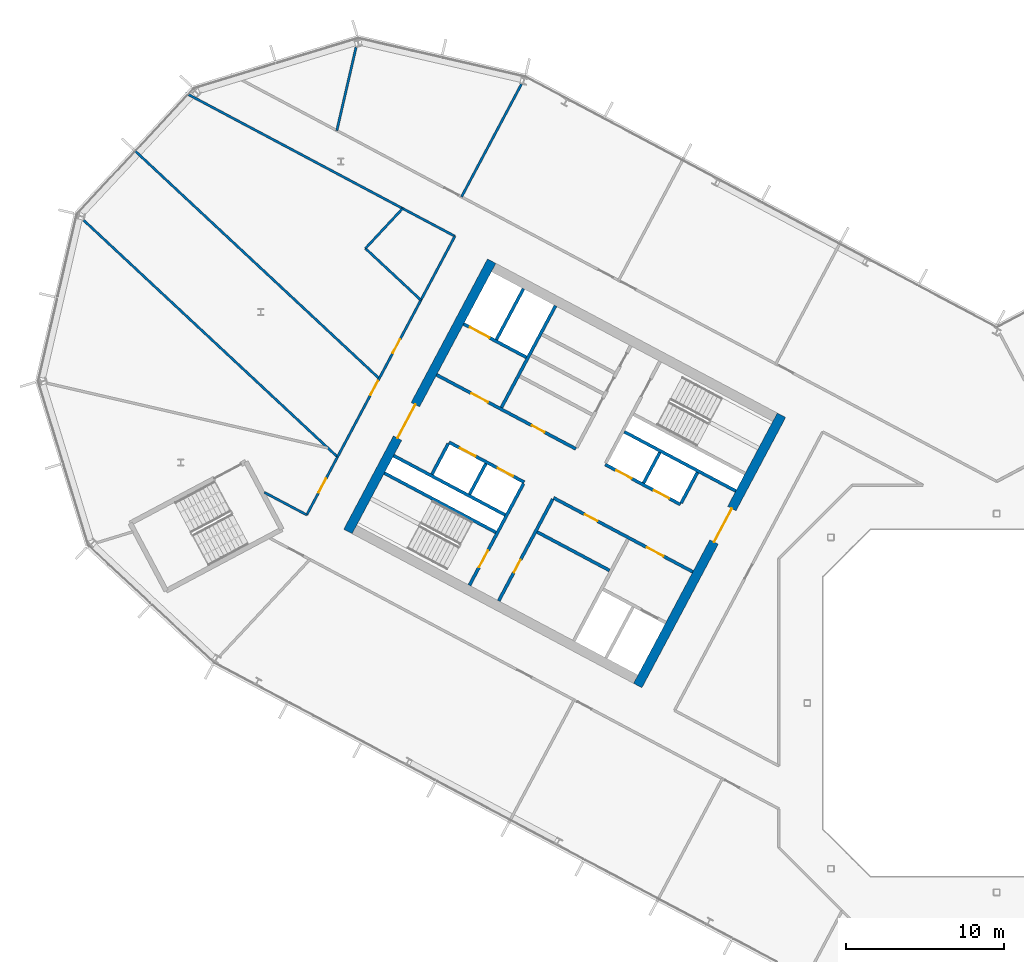
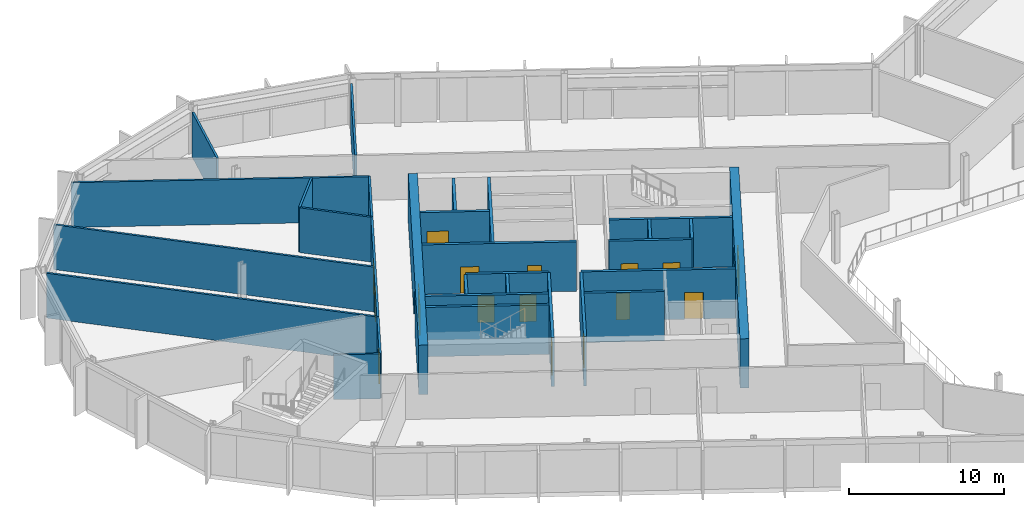
# One storey, part 13 of 26: 29 walls, 16 doors, 16 openings.
"""IFC4 building model written with IfcOpenShell, lengths in metres."""

from ifc_helpers import new_model, si_unit, direction, frame, frame_2d, origin, place, context, subcontext, project, spatial, rectangle, extrude, material, layer, layer_set, type_object, element, fill, save


model = new_model("IFC4")

# Units and contexts
model_context = context("Model", 3, precision=1e-05, world=origin(), true_north=direction((0.0, 1.0)))
body_context = subcontext(model_context, "Body", "Model", "MODEL_VIEW")
ifc_project = project(units=[si_unit("LENGTHUNIT", "METRE"), si_unit("AREAUNIT", "SQUARE_METRE"), si_unit("VOLUMEUNIT", "CUBIC_METRE"), si_unit("PLANEANGLEUNIT", "RADIAN"), si_unit("MASSUNIT", "GRAM", prefix="KILO")], contexts=[model_context])

# Site, building, storey
site_placement = place(None, origin())
site = spatial("IfcSite", under=ifc_project, at=site_placement, CompositionType="ELEMENT")
building_placement = place(site_placement, origin())
building = spatial("IfcBuilding", under=site, at=building_placement, Name="Cormorant Relay Tower", CompositionType="ELEMENT")
storey_placement = place(building_placement, frame((0.0, 0.0, 205.199951171875)))
storey = spatial("IfcBuildingStorey", under=building, at=storey_placement, Name="L44", CompositionType="ELEMENT", Elevation=205.199951171875)

# Walls
ifc_material_1 = material(Name="Concrete 40 MPa", Category="concrete")
ifc_layer_1 = layer(ifc_material_1, 0.199951171875)
ifc_layer_set_1 = layer_set([ifc_layer_1], Name="Core internal wall 200")
wall_type_1 = type_object("IfcWallType", Name="Core internal wall 200", PredefinedType="SOLIDWALL", material=ifc_layer_set_1)
wall_1_placement = place(storey_placement, frame((-21.34375, 15.87890625, 0.0), z_axis=(0.0, 0.0, 1.0), x_axis=(-0.4694473164, -0.882960484464, 0.0)))
element("IfcWall", 1, at=wall_1_placement, inside=storey, type_object=wall_type_1, Name="L44 core A shaft and room wall", PredefinedType="SOLIDWALL", context=body_context, shape_type="SweptSolid", body=[
    extrude(rectangle(XDim=2.199951171875, YDim=0.199951171875, at=frame_2d((1.10009765625, 0.0))), origin(), (0.0, 0.0, 1.0), 3.900146484375),
])
wall_2_placement = place(storey_placement, frame((-32.3662109375, 15.1708984375, 0.0), z_axis=(0.0, 0.0, 1.0), x_axis=(-0.469487830541, -0.882938942948, 0.0)))
element("IfcWall", 2, at=wall_2_placement, inside=storey, type_object=wall_type_1, Name="L44 core A shaft and room wall", PredefinedType="SOLIDWALL", context=body_context, shape_type="SweptSolid", body=[
    extrude(rectangle(XDim=2.2001953125, YDim=0.199951171875, at=frame_2d((1.10009765625, 0.0))), origin(), (0.0, 0.0, 1.0), 3.900146484375),
])
ifc_material_2 = material(Name="Concrete 50 MPa", Category="concrete")
ifc_layer_2 = layer(ifc_material_2, 0.199951171875)
ifc_layer_set_2 = layer_set([ifc_layer_2], Name="Core shaft wall 200")
wall_type_2 = type_object("IfcWallType", Name="Core shaft wall 200", PredefinedType="SHEAR", material=ifc_layer_set_2)
wall_3_placement = place(storey_placement, frame((-18.959716796875, 14.611328125, 0.0), z_axis=(0.0, 0.0, 1.0), x_axis=(-0.4694473164, -0.882960484464, 0.0)))
element("IfcWall", 3, at=wall_3_placement, inside=storey, type_object=wall_type_2, Name="L44 core A shaft wall", PredefinedType="SHEAR", context=body_context, shape_type="SweptSolid", body=[
    extrude(rectangle(XDim=2.199951171875, YDim=0.199951171875, at=frame_2d((1.10009765625, 0.0))), origin(), (0.0, 0.0, 1.0), 3.900146484375),
])

# Wall, opening, door
wall_4_placement = place(storey_placement, frame((-28.128173828125, 12.91748046875, 0.0), z_axis=(0.0, 0.0, 1.0), x_axis=(-0.469454336211, -0.882956752176, 0.0)))
wall_4 = element("IfcWall", 4, at=wall_4_placement, inside=storey, type_object=wall_type_2, Name="L44 core A shaft wall", PredefinedType="SHEAR", context=body_context, shape_type="SweptSolid", body=[
    extrude(rectangle(XDim=7.300048828125, YDim=0.199951171875, at=frame_2d((3.64990234375, 0.0))), origin(), (0.0, 0.0, 1.0), 3.900146484375),
])
opening_1_placement = place(wall_4_placement, frame((4.35009765625, 0.0, 0.0)))
opening_1 = element("IfcOpeningElement", 5, at=opening_1_placement, cuts=wall_4, Name="Opening CDD-256", PredefinedType="OPENING", context=body_context, shape_type="SweptSolid", body=[
    extrude(rectangle(XDim=0.89990234375, YDim=2.10009765625, at=frame_2d((0.449951171875, 1.050048828125))), frame((0.0, 0.10986328125, 0.0), z_axis=(0.0, -1.0, 0.0), x_axis=(1.0, 0.0, 0.0)), (0.0, 0.0, 1.0), 0.219970703125),
])
ifc_material_3 = material(Name="Steel fire door", Category="steel")
door_type_1 = type_object("IfcDoorType", Name="Core room door 900x2100", OperationType="SINGLE_SWING_LEFT", PredefinedType="DOOR", material=ifc_material_3)
door_1_placement = place(opening_1_placement, origin())
door_1 = element("IfcDoor", 6, at=door_1_placement, inside=storey, type_object=door_type_1, Name="Core room door 900x2100", OperationType="SINGLE_SWING_LEFT", OverallHeight=2.10009765625, OverallWidth=0.89990234375, PredefinedType="DOOR", context=body_context, shape_type="SweptSolid", body=[
    extrude(rectangle(XDim=0.89990234375, YDim=2.10009765625, at=frame_2d((0.449951171875, 1.050048828125))), frame((0.0, 0.02490234375, 0.0), z_axis=(0.0, -1.0, 0.0), x_axis=(1.0, 0.0, 0.0)), (0.0, 0.0, 1.0), 0.050048828125),
])
fill(opening_1, door_1)

wall_5_placement = place(storey_placement, frame((-29.982421875, 13.9033203125, 0.0), z_axis=(0.0, 0.0, 1.0), x_axis=(-0.469454336211, -0.882956752176, 0.0)))
wall_5 = element("IfcWall", 7, at=wall_5_placement, inside=storey, type_object=wall_type_2, Name="L44 core A shaft wall", PredefinedType="SHEAR", context=body_context, shape_type="SweptSolid", body=[
    extrude(rectangle(XDim=7.300048828125, YDim=0.199951171875, at=frame_2d((3.64990234375, 0.0))), origin(), (0.0, 0.0, 1.0), 3.900146484375),
])
opening_2_placement = place(wall_5_placement, frame((4.800048828125, 0.0, 0.0)))
opening_2 = element("IfcOpeningElement", 8, at=opening_2_placement, cuts=wall_5, Name="Opening CDB-039", PredefinedType="OPENING", context=body_context, shape_type="SweptSolid", body=[
    extrude(rectangle(XDim=1.199951171875, YDim=2.10009765625, at=frame_2d((0.60009765625, 1.050048828125))), frame((0.0, 0.10986328125, 0.0), z_axis=(0.0, -1.0, 0.0), x_axis=(1.0, 0.0, 0.0)), (0.0, 0.0, 1.0), 0.219970703125),
])
ifc_material_4 = material(Name="Steel fire door", Category="steel")
door_type_2 = type_object("IfcDoorType", Name="Core stair door 1200x2100", OperationType="SINGLE_SWING_LEFT", PredefinedType="DOOR", material=ifc_material_4)
door_2_placement = place(opening_2_placement, frame((1.199951171875, 0.0, 0.0), z_axis=(0.0, 0.0, 1.0), x_axis=(-1.0, 0.0, 0.0)))
door_2 = element("IfcDoor", 9, at=door_2_placement, inside=storey, type_object=door_type_2, Name="Core stair door 1200x2100", OperationType="SINGLE_SWING_RIGHT", OverallHeight=2.10009765625, OverallWidth=1.199951171875, PredefinedType="DOOR", context=body_context, shape_type="SweptSolid", body=[
    extrude(rectangle(XDim=1.199951171875, YDim=2.10009765625, at=frame_2d((0.60009765625, 1.050048828125))), frame((0.0, 0.02490234375, 0.0), z_axis=(0.0, -1.0, 0.0), x_axis=(1.0, 0.0, 0.0)), (0.0, 0.0, 1.0), 0.050048828125),
])
fill(opening_2, door_2)

# Walls
wall_6_placement = place(storey_placement, frame((-27.955322265625, 25.170654296875, 0.0), z_axis=(0.0, 0.0, 1.0), x_axis=(-0.469480409012, -0.88294288918, 0.0)))
element("IfcWall", 10, at=wall_6_placement, inside=storey, type_object=wall_type_2, Name="L44 core A shaft wall", PredefinedType="SHEAR", context=body_context, shape_type="SweptSolid", body=[
    extrude(rectangle(XDim=7.300048828125, YDim=0.199951171875, at=frame_2d((3.64990234375, 0.0))), origin(), (0.0, 0.0, 1.0), 3.900146484375),
])
wall_7_placement = place(storey_placement, frame((-34.750244140625, 16.4384765625, 0.0), z_axis=(0.0, 0.0, 1.0), x_axis=(-0.469401318492, -0.882984938828, 0.0)))
element("IfcWall", 11, at=wall_7_placement, inside=storey, type_object=wall_type_2, Name="L44 core A shaft wall", PredefinedType="SHEAR", context=body_context, shape_type="SweptSolid", body=[
    extrude(rectangle(XDim=2.199951171875, YDim=0.199951171875, at=frame_2d((1.10009765625, 0.0))), origin(), (0.0, 0.0, 1.0), 3.900146484375),
])
wall_8_placement = place(storey_placement, frame((-29.986083984375, 26.250244140625, 0.0), z_axis=(0.0, 0.0, 1.0), x_axis=(-0.469494272526, -0.882935517501, 0.0)))
element("IfcWall", 12, at=wall_8_placement, inside=storey, type_object=wall_type_2, Name="L44 core A shaft wall", PredefinedType="SHEAR", context=body_context, shape_type="SweptSolid", body=[
    extrude(rectangle(XDim=3.64990234375, YDim=0.199951171875, at=frame_2d((1.824951171875, 0.0))), origin(), (0.0, 0.0, 1.0), 3.900146484375),
])

# Wall, opening, door
wall_9_placement = place(storey_placement, frame((-29.80419921875, 21.906494140625, 0.0), z_axis=(0.0, 0.0, 1.0), x_axis=(-0.882960433586, 0.469447412093, 0.0)))
wall_9 = element("IfcWall", 13, at=wall_9_placement, inside=storey, type_object=wall_type_2, Name="L44 core A shaft wall", PredefinedType="SHEAR", context=body_context, shape_type="SweptSolid", body=[
    extrude(rectangle(XDim=4.5, YDim=0.199951171875, at=frame_2d((2.25, 0.0))), origin(), (0.0, 0.0, 1.0), 3.900146484375),
])
opening_3_placement = place(wall_9_placement, frame((2.64990234375, 0.0, 0.0)))
opening_3 = element("IfcOpeningElement", 14, at=opening_3_placement, cuts=wall_9, Name="Opening LD3-015", PredefinedType="OPENING", context=body_context, shape_type="SweptSolid", body=[
    extrude(rectangle(XDim=1.39990234375, YDim=2.39990234375, at=frame_2d((0.699951171875, 1.199951171875))), frame((0.0, 0.10986328125, 0.0), z_axis=(0.0, -1.0, 0.0), x_axis=(1.0, 0.0, 0.0)), (0.0, 0.0, 1.0), 0.219970703125),
])
ifc_material_5 = material(Name="Stainless steel 316", Category="steel")
door_type_3 = type_object("IfcDoorType", Name="Lift landing door 1400x2400", OperationType="DOUBLE_DOOR_SLIDING", PredefinedType="DOOR", material=ifc_material_5)
door_3_placement = place(opening_3_placement, origin())
door_3 = element("IfcDoor", 15, at=door_3_placement, inside=storey, type_object=door_type_3, Name="SV1 landing door", OperationType="DOUBLE_DOOR_SLIDING", OverallHeight=2.39990234375, OverallWidth=1.39990234375, PredefinedType="DOOR", context=body_context, shape_type="SweptSolid", body=[
    extrude(rectangle(XDim=1.39990234375, YDim=2.39990234375, at=frame_2d((0.699951171875, 1.199951171875))), frame((0.0, 0.02490234375, 0.0), z_axis=(0.0, -1.0, 0.0), x_axis=(1.0, 0.0, 0.0)), (0.0, 0.0, 1.0), 0.050048828125),
])
fill(opening_3, door_3)

# Wall
wall_10_placement = place(storey_placement, frame((-16.52880859375, 13.43212890625, 0.0), z_axis=(0.0, 0.0, 1.0), x_axis=(-0.88295287151, 0.469461634952, 0.0)))
element("IfcWall", 16, at=wall_10_placement, inside=storey, type_object=wall_type_2, Name="L44 core A shaft wall", PredefinedType="SHEAR", context=body_context, shape_type="SweptSolid", body=[
    extrude(rectangle(XDim=7.999755859375, YDim=0.199951171875, at=frame_2d((4.0, 0.0))), origin(), (0.0, 0.0, 1.0), 3.900146484375),
])

# Wall, openings, doors
wall_11_placement = place(storey_placement, frame((-20.03955078125, 12.58056640625, 0.0), z_axis=(0.0, 0.0, 1.0), x_axis=(-0.882942972946, 0.469480251476, 0.0)))
wall_11 = element("IfcWall", 17, at=wall_11_placement, inside=storey, type_object=wall_type_2, Name="L44 core A shaft wall", PredefinedType="SHEAR", context=body_context, shape_type="SweptSolid", body=[
    extrude(rectangle(XDim=5.39990234375, YDim=0.199951171875, at=frame_2d((2.699951171875, 0.0))), origin(), (0.0, 0.0, 1.0), 3.900146484375),
])
opening_4_placement = place(wall_11_placement, frame((0.800048828125, 0.0, 0.0)))
opening_4 = element("IfcOpeningElement", 18, at=opening_4_placement, cuts=wall_11, Name="Opening LD1-061", PredefinedType="OPENING", context=body_context, shape_type="SweptSolid", body=[
    extrude(rectangle(XDim=1.10009765625, YDim=2.10009765625, at=frame_2d((0.550048828125, 1.050048828125))), frame((0.0, 0.10986328125, 0.0), z_axis=(0.0, -1.0, 0.0), x_axis=(1.0, 0.0, 0.0)), (0.0, 0.0, 1.0), 0.219970703125),
])
opening_5_placement = place(wall_11_placement, frame((3.5, 0.0, 0.0)))
opening_5 = element("IfcOpeningElement", 19, at=opening_5_placement, cuts=wall_11, Name="Opening LD1-062", PredefinedType="OPENING", context=body_context, shape_type="SweptSolid", body=[
    extrude(rectangle(XDim=1.10009765625, YDim=2.10009765625, at=frame_2d((0.550048828125, 1.050048828125))), frame((0.0, 0.10986328125, 0.0), z_axis=(0.0, -1.0, 0.0), x_axis=(1.0, 0.0, 0.0)), (0.0, 0.0, 1.0), 0.219970703125),
])
ifc_material_6 = material(Name="Stainless steel 316", Category="steel")
door_type_4 = type_object("IfcDoorType", Name="Lift landing door 1100x2100", OperationType="DOUBLE_DOOR_SLIDING", PredefinedType="DOOR", material=ifc_material_6)
door_4_placement = place(opening_4_placement, origin())
door_4 = element("IfcDoor", 20, at=door_4_placement, inside=storey, type_object=door_type_4, Name="MR3 landing door", OperationType="DOUBLE_DOOR_SLIDING", OverallHeight=2.10009765625, OverallWidth=1.10009765625, PredefinedType="DOOR", context=body_context, shape_type="SweptSolid", body=[
    extrude(rectangle(XDim=1.10009765625, YDim=2.10009765625, at=frame_2d((0.550048828125, 1.050048828125))), frame((0.0, 0.02490234375, 0.0), z_axis=(0.0, -1.0, 0.0), x_axis=(1.0, 0.0, 0.0)), (0.0, 0.0, 1.0), 0.050048828125),
])
fill(opening_4, door_4)
door_5_placement = place(opening_5_placement, origin())
door_5 = element("IfcDoor", 21, at=door_5_placement, inside=storey, type_object=door_type_4, Name="MR4 landing door", OperationType="DOUBLE_DOOR_SLIDING", OverallHeight=2.10009765625, OverallWidth=1.10009765625, PredefinedType="DOOR", context=body_context, shape_type="SweptSolid", body=[
    extrude(rectangle(XDim=1.10009765625, YDim=2.10009765625, at=frame_2d((0.550048828125, 1.050048828125))), frame((0.0, 0.02490234375, 0.0), z_axis=(0.0, -1.0, 0.0), x_axis=(1.0, 0.0, 0.0)), (0.0, 0.0, 1.0), 0.050048828125),
])
fill(opening_5, door_5)

wall_12_placement = place(storey_placement, frame((-26.66162109375, 16.1015625, 0.0), z_axis=(0.0, 0.0, 1.0), x_axis=(-0.882940221191, 0.469485426614, 0.0)))
wall_12 = element("IfcWall", 22, at=wall_12_placement, inside=storey, type_object=wall_type_2, Name="L44 core A shaft wall", PredefinedType="SHEAR", context=body_context, shape_type="SweptSolid", body=[
    extrude(rectangle(XDim=10.0, YDim=0.199951171875, at=frame_2d((5.0, 0.0))), origin(), (0.0, 0.0, 1.0), 3.900146484375),
])
opening_6_placement = place(wall_12_placement, frame((6.300048828125, 0.0, 0.0)))
opening_6 = element("IfcOpeningElement", 23, at=opening_6_placement, cuts=wall_12, Name="Opening CDC-034", PredefinedType="OPENING", context=body_context, shape_type="SweptSolid", body=[
    extrude(rectangle(XDim=1.199951171875, YDim=2.10009765625, at=frame_2d((0.60009765625, 1.050048828125))), frame((0.0, 0.10986328125, 0.0), z_axis=(0.0, -1.0, 0.0), x_axis=(1.0, 0.0, 0.0)), (0.0, 0.0, 1.0), 0.219970703125),
])
opening_7_placement = place(wall_12_placement, frame((2.25, 0.0, 0.0)))
opening_7 = element("IfcOpeningElement", 24, at=opening_7_placement, cuts=wall_12, Name="Opening CDD-255", PredefinedType="OPENING", context=body_context, shape_type="SweptSolid", body=[
    extrude(rectangle(XDim=0.89990234375, YDim=2.10009765625, at=frame_2d((0.449951171875, 1.050048828125))), frame((0.0, 0.10986328125, 0.0), z_axis=(0.0, -1.0, 0.0), x_axis=(1.0, 0.0, 0.0)), (0.0, 0.0, 1.0), 0.219970703125),
])
ifc_material_7 = material(Name="Steel fire door", Category="steel")
door_type_5 = type_object("IfcDoorType", Name="Core lobby door 1200x2100", OperationType="SINGLE_SWING_LEFT", PredefinedType="DOOR", material=ifc_material_7)
door_6_placement = place(opening_6_placement, origin())
door_6 = element("IfcDoor", 25, at=door_6_placement, inside=storey, type_object=door_type_5, Name="Core lobby door 1200x2100", OperationType="SINGLE_SWING_LEFT", OverallHeight=2.10009765625, OverallWidth=1.199951171875, PredefinedType="DOOR", context=body_context, shape_type="SweptSolid", body=[
    extrude(rectangle(XDim=1.199951171875, YDim=2.10009765625, at=frame_2d((0.60009765625, 1.050048828125))), frame((0.0, 0.02490234375, 0.0), z_axis=(0.0, -1.0, 0.0), x_axis=(1.0, 0.0, 0.0)), (0.0, 0.0, 1.0), 0.050048828125),
])
fill(opening_6, door_6)
door_7_placement = place(opening_7_placement, origin())
door_7 = element("IfcDoor", 26, at=door_7_placement, inside=storey, type_object=door_type_1, Name="Core room door 900x2100", OperationType="SINGLE_SWING_LEFT", OverallHeight=2.10009765625, OverallWidth=0.89990234375, PredefinedType="DOOR", context=body_context, shape_type="SweptSolid", body=[
    extrude(rectangle(XDim=0.89990234375, YDim=2.10009765625, at=frame_2d((0.449951171875, 1.050048828125))), frame((0.0, 0.02490234375, 0.0), z_axis=(0.0, -1.0, 0.0), x_axis=(1.0, 0.0, 0.0)), (0.0, 0.0, 1.0), 0.050048828125),
])
fill(opening_7, door_7)

wall_13_placement = place(storey_placement, frame((-19.251708984375, 8.31103515625, 0.0), z_axis=(0.0, 0.0, 1.0), x_axis=(-0.882955722218, 0.469456273365, 0.0)))
wall_13 = element("IfcWall", 27, at=wall_13_placement, inside=storey, type_object=wall_type_2, Name="L44 core A shaft wall", PredefinedType="SHEAR", context=body_context, shape_type="SweptSolid", body=[
    extrude(rectangle(XDim=10.0, YDim=0.199951171875, at=frame_2d((5.0, 0.0))), origin(), (0.0, 0.0, 1.0), 3.900146484375),
])
opening_8_placement = place(wall_13_placement, frame((2.10009765625, 0.0, 0.0)))
opening_8 = element("IfcOpeningElement", 28, at=opening_8_placement, cuts=wall_13, Name="Opening CDC-033", PredefinedType="OPENING", context=body_context, shape_type="SweptSolid", body=[
    extrude(rectangle(XDim=1.199951171875, YDim=2.10009765625, at=frame_2d((0.60009765625, 1.050048828125))), frame((0.0, 0.10986328125, 0.0), z_axis=(0.0, -1.0, 0.0), x_axis=(1.0, 0.0, 0.0)), (0.0, 0.0, 1.0), 0.219970703125),
])
opening_9_placement = place(wall_13_placement, frame((6.85009765625, 0.0, 0.0)))
opening_9 = element("IfcOpeningElement", 29, at=opening_9_placement, cuts=wall_13, Name="Opening CDD-254", PredefinedType="OPENING", context=body_context, shape_type="SweptSolid", body=[
    extrude(rectangle(XDim=0.89990234375, YDim=2.10009765625, at=frame_2d((0.449951171875, 1.050048828125))), frame((0.0, 0.10986328125, 0.0), z_axis=(0.0, -1.0, 0.0), x_axis=(1.0, 0.0, 0.0)), (0.0, 0.0, 1.0), 0.219970703125),
])
door_8_placement = place(opening_8_placement, origin())
door_8 = element("IfcDoor", 30, at=door_8_placement, inside=storey, type_object=door_type_5, Name="Core lobby door 1200x2100", OperationType="SINGLE_SWING_RIGHT", OverallHeight=2.10009765625, OverallWidth=1.199951171875, PredefinedType="DOOR", context=body_context, shape_type="SweptSolid", body=[
    extrude(rectangle(XDim=1.199951171875, YDim=2.10009765625, at=frame_2d((0.60009765625, 1.050048828125))), frame((0.0, 0.02490234375, 0.0), z_axis=(0.0, -1.0, 0.0), x_axis=(1.0, 0.0, 0.0)), (0.0, 0.0, 1.0), 0.050048828125),
])
fill(opening_8, door_8)
door_9_placement = place(opening_9_placement, origin())
door_9 = element("IfcDoor", 31, at=door_9_placement, inside=storey, type_object=door_type_1, Name="Core room door 900x2100", OperationType="SINGLE_SWING_LEFT", OverallHeight=2.10009765625, OverallWidth=0.89990234375, PredefinedType="DOOR", context=body_context, shape_type="SweptSolid", body=[
    extrude(rectangle(XDim=0.89990234375, YDim=2.10009765625, at=frame_2d((0.449951171875, 1.050048828125))), frame((0.0, 0.02490234375, 0.0), z_axis=(0.0, -1.0, 0.0), x_axis=(1.0, 0.0, 0.0)), (0.0, 0.0, 1.0), 0.050048828125),
])
fill(opening_9, door_9)

wall_14_placement = place(storey_placement, frame((-29.935302734375, 13.991455078125, 0.0), z_axis=(0.0, 0.0, 1.0), x_axis=(-0.882952937579, 0.469461510692, 0.0)))
wall_14 = element("IfcWall", 32, at=wall_14_placement, inside=storey, type_object=wall_type_2, Name="L44 core A shaft wall", PredefinedType="SHEAR", context=body_context, shape_type="SweptSolid", body=[
    extrude(rectangle(XDim=5.400146484375, YDim=0.199951171875, at=frame_2d((2.7001953125, 0.0))), origin(), (0.0, 0.0, 1.0), 3.900146484375),
])
opening_10_placement = place(wall_14_placement, frame((0.800048828125, 0.0, 0.0)))
opening_10 = element("IfcOpeningElement", 33, at=opening_10_placement, cuts=wall_14, Name="Opening LD1-059", PredefinedType="OPENING", context=body_context, shape_type="SweptSolid", body=[
    extrude(rectangle(XDim=1.10009765625, YDim=2.10009765625, at=frame_2d((0.550048828125, 1.050048828125))), frame((0.0, 0.10986328125, 0.0), z_axis=(0.0, -1.0, 0.0), x_axis=(1.0, 0.0, 0.0)), (0.0, 0.0, 1.0), 0.219970703125),
])
opening_11_placement = place(wall_14_placement, frame((3.5, 0.0, 0.0)))
opening_11 = element("IfcOpeningElement", 34, at=opening_11_placement, cuts=wall_14, Name="Opening LD1-060", PredefinedType="OPENING", context=body_context, shape_type="SweptSolid", body=[
    extrude(rectangle(XDim=1.10009765625, YDim=2.10009765625, at=frame_2d((0.550048828125, 1.050048828125))), frame((0.0, 0.10986328125, 0.0), z_axis=(0.0, -1.0, 0.0), x_axis=(1.0, 0.0, 0.0)), (0.0, 0.0, 1.0), 0.219970703125),
])
door_10_placement = place(opening_10_placement, origin())
door_10 = element("IfcDoor", 35, at=door_10_placement, inside=storey, type_object=door_type_4, Name="MR1 landing door", OperationType="DOUBLE_DOOR_SLIDING", OverallHeight=2.10009765625, OverallWidth=1.10009765625, PredefinedType="DOOR", context=body_context, shape_type="SweptSolid", body=[
    extrude(rectangle(XDim=1.10009765625, YDim=2.10009765625, at=frame_2d((0.550048828125, 1.050048828125))), frame((0.0, 0.02490234375, 0.0), z_axis=(0.0, -1.0, 0.0), x_axis=(1.0, 0.0, 0.0)), (0.0, 0.0, 1.0), 0.050048828125),
])
fill(opening_10, door_10)
door_11_placement = place(opening_11_placement, origin())
door_11 = element("IfcDoor", 36, at=door_11_placement, inside=storey, type_object=door_type_4, Name="MR2 landing door", OperationType="DOUBLE_DOOR_SLIDING", OverallHeight=2.10009765625, OverallWidth=1.10009765625, PredefinedType="DOOR", context=body_context, shape_type="SweptSolid", body=[
    extrude(rectangle(XDim=1.10009765625, YDim=2.10009765625, at=frame_2d((0.550048828125, 1.050048828125))), frame((0.0, 0.02490234375, 0.0), z_axis=(0.0, -1.0, 0.0), x_axis=(1.0, 0.0, 0.0)), (0.0, 0.0, 1.0), 0.050048828125),
])
fill(opening_11, door_11)

# Walls
wall_15_placement = place(storey_placement, frame((-24.5283203125, 8.3984375, 0.0), z_axis=(0.0, 0.0, 1.0), x_axis=(-0.882953967957, 0.469459572775, 0.0)))
element("IfcWall", 37, at=wall_15_placement, inside=storey, type_object=wall_type_2, Name="L44 core A shaft wall", PredefinedType="SHEAR", context=body_context, shape_type="SweptSolid", body=[
    extrude(rectangle(XDim=5.199951171875, YDim=0.199951171875, at=frame_2d((2.60009765625, 0.0))), origin(), (0.0, 0.0, 1.0), 3.900146484375),
])
for number, where, z_axis, x_axis, name in (
    (38, (-31.150390625, 11.91943359375, 0.0), (0.0, 0.0, 1.0), (-0.882940221191, 0.469485426614, 0.0), "L44 core A shaft wall"),
    (39, (-31.7373046875, 10.815673828125, 0.0), (0.0, 0.0, 1.0), (-0.882940221191, 0.469485426614, 0.0), "L44 core A shaft wall"),
):
    element("IfcWall", number, at=place(storey_placement, frame(where, z_axis=z_axis, x_axis=x_axis)), inside=storey, type_object=wall_type_2, Name=name, PredefinedType="SHEAR", context=body_context, shape_type="SweptSolid", body=[
        extrude(rectangle(XDim=8.0, YDim=0.199951171875, at=frame_2d((4.0, 0.0))), origin(), (0.0, 0.0, 1.0), 3.900146484375),
    ])

# Wall, opening, door
ifc_material_8 = material(Name="Concrete 50 MPa", Category="concrete")
ifc_layer_3 = layer(ifc_material_8, 0.60009765625)
ifc_layer_set_3 = layer_set([ifc_layer_3], Name="Core wall 600")
wall_type_3 = type_object("IfcWallType", Name="Core wall 600", PredefinedType="SHEAR", material=ifc_layer_set_3)
wall_16_placement = place(storey_placement, frame((-13.634765625, 18.235595703125, 0.0), z_axis=(0.0, 0.0, 1.0), x_axis=(-0.469478769487, -0.88294376095, 0.0)))
wall_16 = element("IfcWall", 40, at=wall_16_placement, inside=storey, type_object=wall_type_3, Name="L44 core A wall", PredefinedType="SHEAR", context=body_context, shape_type="SweptSolid", body=[
    extrude(rectangle(XDim=19.400146484375, YDim=0.60009765625, at=frame_2d((9.7001953125, 0.0))), origin(), (0.0, 0.0, 1.0), 3.900146484375),
])
opening_12_placement = place(wall_16_placement, frame((6.699951171875, 0.0, 0.0)))
opening_12 = element("IfcOpeningElement", 41, at=opening_12_placement, cuts=wall_16, Name="Opening CDA-040", PredefinedType="OPENING", context=body_context, shape_type="SweptSolid", body=[
    extrude(rectangle(XDim=2.39990234375, YDim=2.39990234375, at=frame_2d((1.199951171875, 1.199951171875))), frame((0.0, 0.31005859375, 0.0), z_axis=(0.0, -1.0, 0.0), x_axis=(1.0, 0.0, 0.0)), (0.0, 0.0, 1.0), 0.6201171875),
])
ifc_material_9 = material(Name="Steel fire door", Category="steel")
door_type_6 = type_object("IfcDoorType", Name="Core lobby door 2400x2400", OperationType="DOUBLE_DOOR_SINGLE_SWING", PredefinedType="DOOR", material=ifc_material_9)
door_12_placement = place(opening_12_placement, frame((2.39990234375, 0.0, 0.0), z_axis=(0.0, 0.0, 1.0), x_axis=(-1.0, 0.0, 0.0)))
door_12 = element("IfcDoor", 42, at=door_12_placement, inside=storey, type_object=door_type_6, Name="Core lobby door 2400x2400", OperationType="DOUBLE_DOOR_SINGLE_SWING", OverallHeight=2.39990234375, OverallWidth=2.39990234375, PredefinedType="DOOR", context=body_context, shape_type="SweptSolid", body=[
    extrude(rectangle(XDim=2.39990234375, YDim=2.39990234375, at=frame_2d((1.199951171875, 1.199951171875))), frame((0.0, 0.02490234375, 0.0), z_axis=(0.0, -1.0, 0.0), x_axis=(1.0, 0.0, 0.0)), (0.0, 0.0, 1.0), 0.050048828125),
])
fill(opening_12, door_12)

wall_17_placement = place(storey_placement, frame((-32.000244140625, 28.000732421875, 0.0), z_axis=(0.0, 0.0, 1.0), x_axis=(-0.469468958625, -0.882948977511, 0.0)))
wall_17 = element("IfcWall", 43, at=wall_17_placement, inside=storey, type_object=wall_type_3, Name="L44 core A wall", PredefinedType="SHEAR", context=body_context, shape_type="SweptSolid", body=[
    extrude(rectangle(XDim=19.39990234375, YDim=0.60009765625, at=frame_2d((9.699951171875, 0.0))), origin(), (0.0, 0.0, 1.0), 3.900146484375),
])
opening_13_placement = place(wall_17_placement, frame((10.300048828125, 0.0, 0.0)))
opening_13 = element("IfcOpeningElement", 44, at=opening_13_placement, cuts=wall_17, Name="Opening CDA-041", PredefinedType="OPENING", context=body_context, shape_type="SweptSolid", body=[
    extrude(rectangle(XDim=2.39990234375, YDim=2.39990234375, at=frame_2d((1.199951171875, 1.199951171875))), frame((0.0, 0.31005859375, 0.0), z_axis=(0.0, -1.0, 0.0), x_axis=(1.0, 0.0, 0.0)), (0.0, 0.0, 1.0), 0.6201171875),
])
door_13_placement = place(opening_13_placement, origin())
door_13 = element("IfcDoor", 45, at=door_13_placement, inside=storey, type_object=door_type_6, Name="Core lobby door 2400x2400", OperationType="DOUBLE_DOOR_SINGLE_SWING", OverallHeight=2.39990234375, OverallWidth=2.39990234375, PredefinedType="DOOR", context=body_context, shape_type="SweptSolid", body=[
    extrude(rectangle(XDim=2.39990234375, YDim=2.39990234375, at=frame_2d((1.199951171875, 1.199951171875))), frame((0.0, 0.02490234375, 0.0), z_axis=(0.0, -1.0, 0.0), x_axis=(1.0, 0.0, 0.0)), (0.0, 0.0, 1.0), 0.050048828125),
])
fill(opening_13, door_13)

# Wall, openings, doors
ifc_material_10 = material(Name="Gypsum board fire partition")
ifc_layer_4 = layer(ifc_material_10, 0.14990234375)
ifc_layer_set_4 = layer_set([ifc_layer_4], Name="Corridor partition 150 EI 60")
wall_type_4 = type_object("IfcWallType", Name="Corridor partition 150 EI 60", PredefinedType="PARTITIONING", material=ifc_layer_set_4)
wall_18_placement = place(storey_placement, frame((-41.76904296875, 15.592041015625, 0.0), z_axis=(0.0, 0.0, 1.0), x_axis=(0.469444027343, 0.882962233163, 0.0)))
wall_18 = element("IfcWall", 46, at=wall_18_placement, inside=storey, type_object=wall_type_4, Name="wall/L44/part/007", PredefinedType="PARTITIONING", context=body_context, shape_type="SweptSolid", body=[
    extrude(rectangle(XDim=15.84228515625, YDim=0.14990234375, at=frame_2d((7.921142578125, 0.0))), origin(), (0.0, 0.0, 1.0), 3.5400390625),
])
opening_14_placement = place(wall_18_placement, frame((7.449951171875, 0.0, 0.0)))
opening_14 = element("IfcOpeningElement", 47, at=opening_14_placement, cuts=wall_18, Name="Opening DS-125", PredefinedType="OPENING", context=body_context, shape_type="SweptSolid", body=[
    extrude(rectangle(XDim=1.0, YDim=2.10009765625, at=frame_2d((0.5, 1.050048828125))), frame((0.0, 0.0849609375, 0.0), z_axis=(0.0, -1.0, 0.0), x_axis=(1.0, 0.0, 0.0)), (0.0, 0.0, 1.0), 0.169921875),
])
opening_15_placement = place(wall_18_placement, frame((4.449951171875, 0.0, 0.0)))
opening_15 = element("IfcOpeningElement", 48, at=opening_15_placement, cuts=wall_18, Name="Opening DS-126", PredefinedType="OPENING", context=body_context, shape_type="SweptSolid", body=[
    extrude(rectangle(XDim=1.0, YDim=2.10009765625, at=frame_2d((0.5, 1.050048828125))), frame((0.0, 0.0849609375, 0.0), z_axis=(0.0, -1.0, 0.0), x_axis=(1.0, 0.0, 0.0)), (0.0, 0.0, 1.0), 0.169921875),
])
ifc_material_11 = material(Name="Timber door leaf", Category="wood")
door_type_7 = type_object("IfcDoorType", Name="Suite door 1000x2100", OperationType="SINGLE_SWING_LEFT", PredefinedType="DOOR", material=ifc_material_11)
door_14_placement = place(opening_14_placement, origin())
door_14 = element("IfcDoor", 49, at=door_14_placement, inside=storey, type_object=door_type_7, Name="door/L44/006", OperationType="SINGLE_SWING_RIGHT", OverallHeight=2.10009765625, OverallWidth=1.0, PredefinedType="DOOR", context=body_context, shape_type="SweptSolid", body=[
    extrude(rectangle(XDim=1.0, YDim=2.10009765625, at=frame_2d((0.5, 1.050048828125))), frame((0.0, 0.02490234375, 0.0), z_axis=(0.0, -1.0, 0.0), x_axis=(1.0, 0.0, 0.0)), (0.0, 0.0, 1.0), 0.050048828125),
])
fill(opening_14, door_14)
door_15_placement = place(opening_15_placement, origin())
door_15 = element("IfcDoor", 50, at=door_15_placement, inside=storey, type_object=door_type_7, Name="door/L44/007", OperationType="SINGLE_SWING_RIGHT", OverallHeight=2.10009765625, OverallWidth=1.0, PredefinedType="DOOR", context=body_context, shape_type="SweptSolid", body=[
    extrude(rectangle(XDim=1.0, YDim=2.10009765625, at=frame_2d((0.5, 1.050048828125))), frame((0.0, 0.02490234375, 0.0), z_axis=(0.0, -1.0, 0.0), x_axis=(1.0, 0.0, 0.0)), (0.0, 0.0, 1.0), 0.050048828125),
])
fill(opening_15, door_15)

# Walls
wall_19_placement = place(storey_placement, frame((-34.33203125, 29.580078125, 0.0), z_axis=(0.0, 0.0, 1.0), x_axis=(-0.882939350293, 0.46948706447, 0.0)))
element("IfcWall", 51, at=wall_19_placement, inside=storey, type_object=wall_type_4, Name="wall/L44/part/008", PredefinedType="PARTITIONING", context=body_context, shape_type="SweptSolid", body=[
    extrude(rectangle(XDim=19.327392578125, YDim=0.14990234375, at=frame_2d((9.66357421875, 0.0))), origin(), (0.0, 0.0, 1.0), 3.5400390625),
])
wall_20_placement = place(storey_placement, frame((-46.403076171875, 13.346923828125, 0.0), z_axis=(0.0, 0.0, 1.0), x_axis=(0.882959580004, -0.46944901755, 0.0)))
element("IfcWall", 52, at=wall_20_placement, inside=storey, type_object=wall_type_4, Name="wall/L44/part/013", PredefinedType="PARTITIONING", context=body_context, shape_type="SweptSolid", body=[
    extrude(rectangle(XDim=3.03759765625, YDim=0.14990234375, at=frame_2d((1.518798828125, 0.0))), origin(), (0.0, 0.0, 1.0), 3.5400390625),
])

# Wall, opening, door
wall_21_placement = place(storey_placement, frame((-41.76904296875, 15.592041015625, 0.0), z_axis=(0.0, 0.0, 1.0), x_axis=(-0.468884925056, -0.883259263781, 0.0)))
wall_21 = element("IfcWall", 53, at=wall_21_placement, inside=storey, type_object=wall_type_4, Name="wall/L44/part/014", PredefinedType="PARTITIONING", context=body_context, shape_type="SweptSolid", body=[
    extrude(rectangle(XDim=4.160888671875, YDim=0.14990234375, at=frame_2d((2.08056640625, 0.0))), origin(), (0.0, 0.0, 1.0), 3.5400390625),
])
opening_16_placement = place(wall_21_placement, frame((1.550048828125, 0.0, 0.0)))
opening_16 = element("IfcOpeningElement", 54, at=opening_16_placement, cuts=wall_21, Name="Opening DS-127", PredefinedType="OPENING", context=body_context, shape_type="SweptSolid", body=[
    extrude(rectangle(XDim=1.0, YDim=2.10009765625, at=frame_2d((0.5, 1.050048828125))), frame((0.0, 0.0849609375, 0.0), z_axis=(0.0, -1.0, 0.0), x_axis=(1.0, 0.0, 0.0)), (0.0, 0.0, 1.0), 0.169921875),
])
door_16_placement = place(opening_16_placement, frame((1.0, 0.0, 0.0), z_axis=(0.0, 0.0, 1.0), x_axis=(-1.0, 0.0, 0.0)))
door_16 = element("IfcDoor", 55, at=door_16_placement, inside=storey, type_object=door_type_7, Name="door/L44/008", OperationType="SINGLE_SWING_RIGHT", OverallHeight=2.10009765625, OverallWidth=1.0, PredefinedType="DOOR", context=body_context, shape_type="SweptSolid", body=[
    extrude(rectangle(XDim=1.0, YDim=2.10009765625, at=frame_2d((0.5, 1.050048828125))), frame((0.0, 0.02490234375, 0.0), z_axis=(0.0, -1.0, 0.0), x_axis=(1.0, 0.0, 0.0)), (0.0, 0.0, 1.0), 0.050048828125),
])
fill(opening_16, door_16)

# Walls
ifc_material_12 = material(Name="Gypsum board partition")
ifc_layer_5 = layer(ifc_material_12, 0.14990234375)
ifc_layer_set_5 = layer_set([ifc_layer_5], Name="Tenant partition 150")
wall_type_5 = type_object("IfcWallType", Name="Tenant partition 150", PredefinedType="PARTITIONING", material=ifc_layer_set_5)
wall_22_placement = place(storey_placement, frame((-54.714111328125, 35.095947265625, 0.0), z_axis=(0.0, 0.0, 1.0), x_axis=(0.73136184742, -0.681989624656, 0.0)))
element("IfcWall", 56, at=wall_22_placement, inside=storey, type_object=wall_type_5, Name="wall/L44/part/002", PredefinedType="PARTITIONING", context=body_context, shape_type="SweptSolid", body=[
    extrude(rectangle(XDim=21.3125, YDim=0.14990234375, at=frame_2d((10.65625, 0.0))), origin(), (0.0, 0.0, 1.0), 3.5400390625),
])
wall_23_placement = place(storey_placement, frame((-41.76904296875, 15.593017578125, 0.0), z_axis=(0.0, 0.0, 1.0), x_axis=(-0.731378467381, 0.681971801067, 0.0)))
element("IfcWall", 57, at=wall_23_placement, inside=storey, type_object=wall_type_5, Name="wall/L44/part/003", PredefinedType="PARTITIONING", context=body_context, shape_type="SweptSolid", body=[
    extrude(rectangle(XDim=21.999267578125, YDim=0.14990234375, at=frame_2d((10.99951171875, 0.0))), origin(), (0.0, 0.0, 1.0), 3.5400390625),
])
wall_24_placement = place(storey_placement, frame((-37.639892578125, 31.339111328125, 0.0), z_axis=(0.0, 0.0, 1.0), x_axis=(-0.681983873773, -0.731367210035, 0.0)))
element("IfcWall", 58, at=wall_24_placement, inside=storey, type_object=wall_type_5, Name="wall/L44/part/005", PredefinedType="PARTITIONING", context=body_context, shape_type="SweptSolid", body=[
    extrude(rectangle(XDim=3.460693359375, YDim=0.14990234375, at=frame_2d((1.73046875, 0.0))), origin(), (0.0, 0.0, 1.0), 3.5400390625),
])
wall_25_placement = place(storey_placement, frame((-40.0, 28.80810546875, 0.0), z_axis=(0.0, 0.0, 1.0), x_axis=(0.731313661346, -0.682041295471, 0.0)))
element("IfcWall", 59, at=wall_25_placement, inside=storey, type_object=wall_type_5, Name="wall/L44/part/006", PredefinedType="PARTITIONING", context=body_context, shape_type="SweptSolid", body=[
    extrude(rectangle(XDim=4.80615234375, YDim=0.14990234375, at=frame_2d((2.403076171875, 0.0))), origin(), (0.0, 0.0, 1.0), 3.5400390625),
])
wall_26_placement = place(storey_placement, frame((-30.10888671875, 39.22509765625, 0.0), z_axis=(0.0, 0.0, 1.0), x_axis=(-0.469490973279, -0.882937271843, 0.0)))
element("IfcWall", 60, at=wall_26_placement, inside=storey, type_object=wall_type_5, Name="wall/L44/part/016", PredefinedType="PARTITIONING", context=body_context, shape_type="SweptSolid", body=[
    extrude(rectangle(XDim=8.09814453125, YDim=0.14990234375, at=frame_2d((4.049072265625, 0.0))), origin(), (0.0, 0.0, 1.0), 3.5400390625),
])
wall_27_placement = place(storey_placement, frame((-41.81298828125, 36.27587890625, 0.0), z_axis=(0.0, 0.0, 1.0), x_axis=(0.22495163737, 0.974369930183, 0.0)))
element("IfcWall", 61, at=wall_27_placement, inside=storey, type_object=wall_type_5, Name="wall/L44/part/017", PredefinedType="PARTITIONING", context=body_context, shape_type="SweptSolid", body=[
    extrude(rectangle(XDim=5.4189453125, YDim=0.14990234375, at=frame_2d((2.70947265625, 0.0))), origin(), (0.0, 0.0, 1.0), 3.5400390625),
])

save(model, "model.ifc")
